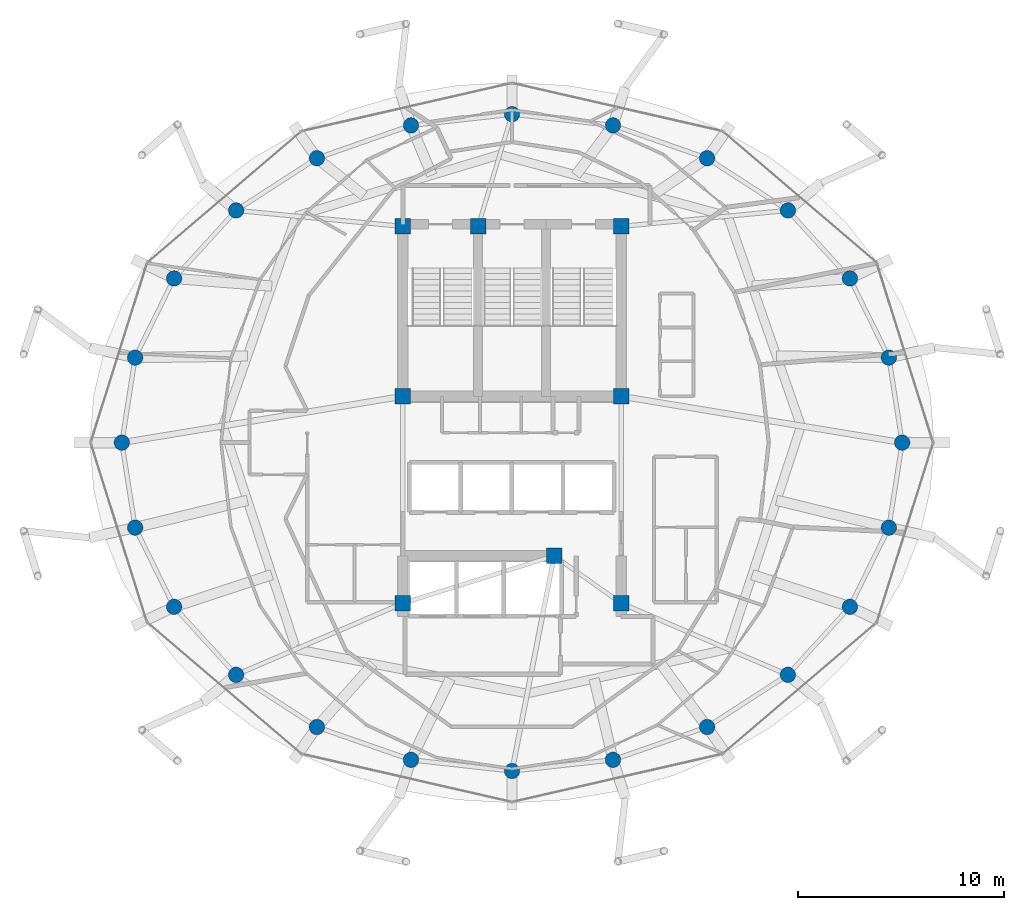
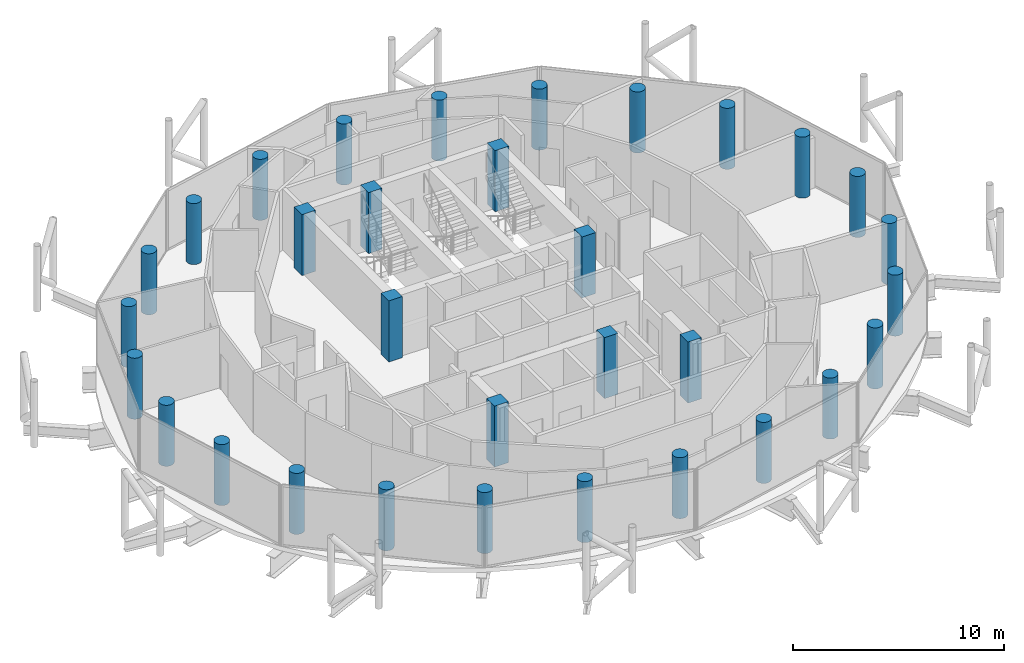
# One storey, part 1 of 25: 32 columns.
"""IFC4 building model written with IfcOpenShell, lengths in metres."""

from ifc_helpers import new_model, si_unit, direction, frame, origin, origin_2d, place, context, subcontext, project, spatial, rectangle, circle, extrude, material, material_profile, profile_set, type_object, element, save


model = new_model("IFC4")

# Units and contexts
model_context = context("Model", 3, precision=1e-05, world=origin(), true_north=direction((0.0, 1.0)))
body_context = subcontext(model_context, "Body", "Model", "MODEL_VIEW")
ifc_project = project(units=[si_unit("LENGTHUNIT", "METRE"), si_unit("AREAUNIT", "SQUARE_METRE"), si_unit("VOLUMEUNIT", "CUBIC_METRE"), si_unit("PLANEANGLEUNIT", "RADIAN"), si_unit("MASSUNIT", "GRAM", prefix="KILO")], contexts=[model_context])

# Site, building, storey
site_placement = place(None, origin())
site = spatial("IfcSite", under=ifc_project, at=site_placement, CompositionType="ELEMENT")
building_placement = place(site_placement, origin())
building = spatial("IfcBuilding", under=site, at=building_placement, Name="Nuhasar Tower", CompositionType="ELEMENT")
storey_placement = place(building_placement, frame((0.0, 0.0, 255.60009765625)))
storey = spatial("IfcBuildingStorey", under=building, at=storey_placement, Name="L63", CompositionType="ELEMENT", Elevation=255.60009765625)

# Columns
ifc_material = material(Name="Concrete C50/60", Category="concrete")
ifc_material_profile_1 = material_profile(ifc_material, circle(Radius=0.375, at=origin_2d()), Name="CFT750")
ifc_profile_set_1 = profile_set([ifc_material_profile_1], Name="Concrete C50/60")
column_type_1 = type_object("IfcColumnType", Name="COL-CFT-750", PredefinedType="COLUMN", material=ifc_profile_set_1)
for number, where, z_axis, x_axis, name in (
    (1, (57.949951171875, 26.800048828125, 0.0), (0.0, 0.0, 1.0), (1.0, 0.0, 0.0), "L63 Perimeter Composite Column TC-01"),
    (2, (57.303955078125, 30.927978515625, 0.0), (0.0, 0.0, 1.0), (1.0, 0.0, 0.0), "L63 Perimeter Composite Column TC-02"),
    (3, (55.410888671875, 34.77490234375, 0.0), (0.0, 0.0, 1.0), (1.0, 0.0, 0.0), "L63 Perimeter Composite Column TC-03"),
    (4, (52.39990234375, 38.077880859375, 0.0), (0.0, 0.0, 1.0), (1.0, 0.0, 0.0), "L63 Perimeter Composite Column TC-04"),
    (5, (48.47509765625, 40.613037109375, 0.0), (0.0, 0.0, 1.0), (1.0, 0.0, 0.0), "L63 Perimeter Composite Column TC-05"),
    (6, (43.905029296875, 42.20703125, 0.0), (0.0, 0.0, 1.0), (1.0, 0.0, 0.0), "L63 Perimeter Composite Column TC-06"),
    (7, (39.0, 42.75, 0.0), (0.0, 0.0, 1.0), (1.0, 0.0, 0.0), "L63 Perimeter Composite Column TC-07"),
    (8, (34.094970703125, 42.20703125, 0.0), (0.0, 0.0, 1.0), (1.0, 0.0, 0.0), "L63 Perimeter Composite Column TC-08"),
    (9, (29.52490234375, 40.613037109375, 0.0), (0.0, 0.0, 1.0), (1.0, 0.0, 0.0), "L63 Perimeter Composite Column TC-09"),
    (10, (25.60009765625, 38.077880859375, 0.0), (0.0, 0.0, 1.0), (1.0, 0.0, 0.0), "L63 Perimeter Composite Column TC-10"),
    (11, (22.589111328125, 34.77490234375, 0.0), (0.0, 0.0, 1.0), (1.0, 0.0, 0.0), "L63 Perimeter Composite Column TC-11"),
    (12, (20.696044921875, 30.927978515625, 0.0), (0.0, 0.0, 1.0), (1.0, 0.0, 0.0), "L63 Perimeter Composite Column TC-12"),
    (13, (20.050048828125, 26.800048828125, 0.0), (0.0, 0.0, 1.0), (1.0, 0.0, 0.0), "L63 Perimeter Composite Column TC-13"),
    (14, (20.696044921875, 22.672119140625, 0.0), (0.0, 0.0, 1.0), (1.0, 0.0, 0.0), "L63 Perimeter Composite Column TC-14"),
    (15, (22.589111328125, 18.824951171875, 0.0), (0.0, 0.0, 1.0), (1.0, 0.0, 0.0), "L63 Perimeter Composite Column TC-15"),
    (16, (25.60009765625, 15.52197265625, 0.0), (0.0, 0.0, 1.0), (1.0, 0.0, 0.0), "L63 Perimeter Composite Column TC-16"),
    (17, (29.52490234375, 12.987060546875, 0.0), (0.0, 0.0, 1.0), (1.0, 0.0, 0.0), "L63 Perimeter Composite Column TC-17"),
    (18, (34.094970703125, 11.39306640625, 0.0), (0.0, 0.0, 1.0), (1.0, 0.0, 0.0), "L63 Perimeter Composite Column TC-18"),
    (19, (39.0, 10.85009765625, 0.0), (0.0, 0.0, 1.0), (1.0, 0.0, 0.0), "L63 Perimeter Composite Column TC-19"),
    (20, (43.905029296875, 11.39306640625, 0.0), (0.0, 0.0, 1.0), (1.0, 0.0, 0.0), "L63 Perimeter Composite Column TC-20"),
    (21, (48.47509765625, 12.987060546875, 0.0), (0.0, 0.0, 1.0), (1.0, 0.0, 0.0), "L63 Perimeter Composite Column TC-21"),
    (22, (52.39990234375, 15.52197265625, 0.0), (0.0, 0.0, 1.0), (1.0, 0.0, 0.0), "L63 Perimeter Composite Column TC-22"),
    (23, (55.410888671875, 18.824951171875, 0.0), (0.0, 0.0, 1.0), (1.0, 0.0, 0.0), "L63 Perimeter Composite Column TC-23"),
    (24, (57.303955078125, 22.672119140625, 0.0), (0.0, 0.0, 1.0), (1.0, 0.0, 0.0), "L63 Perimeter Composite Column TC-24"),
):
    element("IfcColumn", number, at=place(storey_placement, frame(where, z_axis=z_axis, x_axis=x_axis)), inside=storey, type_object=column_type_1, Name=name, PredefinedType="COLUMN", context=body_context, shape_type="SweptSolid", body=[
        extrude(circle(Radius=0.375, at=origin_2d()), origin(), (0.0, 0.0, 1.0), 3.539794921875),
    ])
ifc_material_profile_2 = material_profile(ifc_material, rectangle(XDim=0.75, YDim=0.75, at=origin_2d()), Name="RC750X750")
ifc_profile_set_2 = profile_set([ifc_material_profile_2], Name="Concrete C50/60")
column_type_2 = type_object("IfcColumnType", Name="PIL-RC-750", PredefinedType="PILASTER", material=ifc_profile_set_2)
for number, where, z_axis, x_axis, name in (
    (25, (33.699951171875, 19.0, 0.0), (0.0, 0.0, 1.0), (1.0, 0.0, 0.0), "L63 Core Boundary Pilaster CC-01"),
    (26, (41.050048828125, 21.300048828125, 0.0), (0.0, 0.0, 1.0), (1.0, 0.0, 0.0), "L63 Core Boundary Pilaster CC-02"),
    (27, (44.300048828125, 19.0, 0.0), (0.0, 0.0, 1.0), (1.0, 0.0, 0.0), "L63 Core Boundary Pilaster CC-03"),
    (28, (44.300048828125, 29.050048828125, 0.0), (0.0, 0.0, 1.0), (1.0, 0.0, 0.0), "L63 Core Boundary Pilaster CC-04"),
    (29, (44.300048828125, 37.300048828125, 0.0), (0.0, 0.0, 1.0), (1.0, 0.0, 0.0), "L63 Core Boundary Pilaster CC-05"),
    (30, (37.35009765625, 37.300048828125, 0.0), (0.0, 0.0, 1.0), (1.0, 0.0, 0.0), "L63 Core Boundary Pilaster CC-06"),
    (31, (33.699951171875, 37.300048828125, 0.0), (0.0, 0.0, 1.0), (1.0, 0.0, 0.0), "L63 Core Boundary Pilaster CC-07"),
    (32, (33.699951171875, 29.050048828125, 0.0), (0.0, 0.0, 1.0), (1.0, 0.0, 0.0), "L63 Core Boundary Pilaster CC-08"),
):
    element("IfcColumn", number, at=place(storey_placement, frame(where, z_axis=z_axis, x_axis=x_axis)), inside=storey, type_object=column_type_2, Name=name, PredefinedType="PILASTER", context=body_context, shape_type="SweptSolid", body=[
        extrude(rectangle(XDim=0.75, YDim=0.75, at=origin_2d()), origin(), (0.0, 0.0, 1.0), 3.539794921875),
    ])

save(model, "model.ifc")
